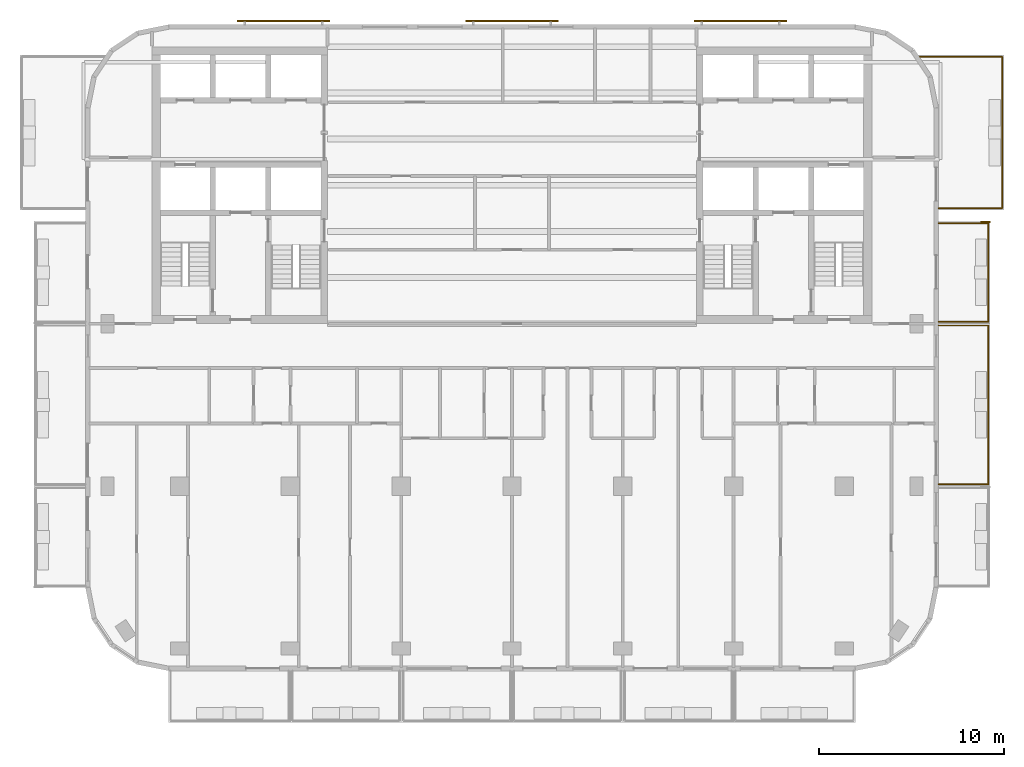
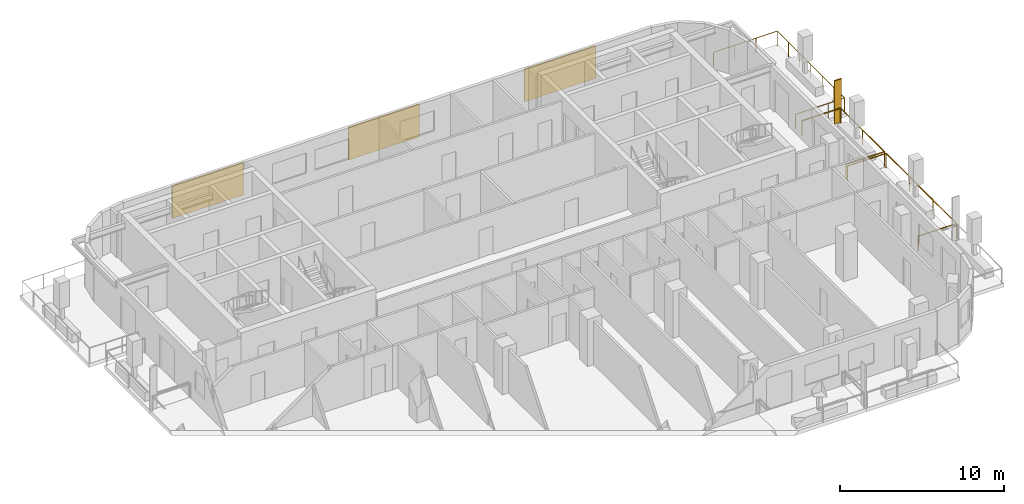
# One storey, part 10 of 11: 4 shading devices, 3 railings.
"""IFC4 building model written with IfcOpenShell, lengths in metres."""

from ifc_helpers import new_model, si_unit, direction, frame, origin, origin_2d, place, context, subcontext, project, spatial, rectangle, circle, extrude, material, layer, layer_set, type_object, element, save


model = new_model("IFC4")

# Units and contexts
model_context = context("Model", 3, precision=1e-05, world=origin(), true_north=direction((0.0, 1.0)))
body_context = subcontext(model_context, "Body", "Model", "MODEL_VIEW")
ifc_project = project(units=[si_unit("LENGTHUNIT", "METRE"), si_unit("AREAUNIT", "SQUARE_METRE"), si_unit("VOLUMEUNIT", "CUBIC_METRE"), si_unit("PLANEANGLEUNIT", "RADIAN"), si_unit("MASSUNIT", "GRAM", prefix="KILO")], contexts=[model_context])

# Site, building, storey
site_placement = place(None, origin())
site = spatial("IfcSite", under=ifc_project, at=site_placement, CompositionType="ELEMENT")
building_placement = place(site_placement, origin())
building = spatial("IfcBuilding", under=site, at=building_placement, Name="Torana Hotel and Residences", CompositionType="ELEMENT")
storey_placement = place(building_placement, frame((0.0, 0.0, 277.10009765625)))
storey = spatial("IfcBuildingStorey", under=building, at=storey_placement, Name="L73", CompositionType="ELEMENT", Elevation=277.10009765625)

# Shading device
ifc_material_1 = material(Name="Black powder coated aluminium", Category="aluminium")
ifc_layer_1 = layer(ifc_material_1, 0.080078125)
ifc_layer_set_1 = layer_set([ifc_layer_1], Name="FN1 VERTICAL FIN 500x80")
shading_device_type_1 = type_object("IfcShadingDeviceType", Name="FN1 VERTICAL FIN 500x80", PredefinedType="USERDEFINED", material=ifc_layer_set_1)
shading_device_placement = place(storey_placement, frame((25.64990234375, -9.489990234375, 0.0), z_axis=(0.0, 0.0, 1.0), x_axis=(0.0, -1.0, 0.0)))
element("IfcShadingDevice", 1, at=shading_device_placement, inside=storey, type_object=shading_device_type_1, Name="Fin 13", ObjectType="FIN", PredefinedType="USERDEFINED", context=body_context, shape_type="SweptSolid", body=[
    extrude(rectangle(XDim=0.080078125, YDim=0.5, at=origin_2d()), origin(), (0.0, 0.0, 1.0), 3.219970703125),
])

# Railings
ifc_material_2 = material(Name="Laminated glass balustrade with black handrail", Category="glass")
railing_type = type_object("IfcRailingType", Name="GR1 BALCONY GUARD 1100 GLASS", PredefinedType="GUARDRAIL", material=ifc_material_2)
railing_1_placement = place(storey_placement, frame((23.10009765625, -15.10009765625, 0.0)))
element("IfcRailing", 2, at=railing_1_placement, inside=storey, type_object=railing_type, Name="Balcony guard 12", PredefinedType="GUARDRAIL", context=body_context, shape_type="SweptSolid", body=[
    extrude(circle(Radius=0.02392578125, at=origin_2d()), frame((0.0, 0.0, 1.076171875), z_axis=(1.0, 0.0, 0.0), x_axis=(0.0, 1.0, 0.0)), (0.0, 0.0, 1.0), 2.699951171875),
    extrude(circle(Radius=0.02392578125, at=origin_2d()), frame((2.699951171875, 0.0, 1.076171875), z_axis=(0.0, -1.0, 0.0), x_axis=(1.0, 0.0, 0.0)), (0.0, 0.0, 1.0), 8.599853515625),
    extrude(circle(Radius=0.02392578125, at=origin_2d()), frame((2.699951171875, -8.599853515625, 1.076171875), z_axis=(-1.0, 0.0, 0.0), x_axis=(0.0, -1.0, 0.0)), (0.0, 0.0, 1.0), 2.699951171875),
    extrude(circle(Radius=0.02099609375, at=origin_2d()), origin(), (0.0, 0.0, 1.0), 1.052001953125),
    extrude(circle(Radius=0.02099609375, at=origin_2d()), frame((2.699951171875, 0.0, 0.0)), (0.0, 0.0, 1.0), 1.052001953125),
    extrude(circle(Radius=0.02099609375, at=origin_2d()), frame((2.699951171875, -2.86669921875, 0.0)), (0.0, 0.0, 1.0), 1.052001953125),
    extrude(circle(Radius=0.02099609375, at=origin_2d()), frame((2.699951171875, -5.733154296875, 0.0)), (0.0, 0.0, 1.0), 1.052001953125),
    extrude(circle(Radius=0.02099609375, at=origin_2d()), frame((2.699951171875, -8.599853515625, 0.0)), (0.0, 0.0, 1.0), 1.052001953125),
    extrude(circle(Radius=0.02099609375, at=origin_2d()), frame((0.0, -8.599853515625, 0.0)), (0.0, 0.0, 1.0), 1.052001953125),
])
railing_2_placement = place(storey_placement, frame((23.10009765625, -9.550048828125, 0.0)))
element("IfcRailing", 3, at=railing_2_placement, inside=storey, type_object=railing_type, Name="Balcony guard 13", PredefinedType="GUARDRAIL", context=body_context, shape_type="SweptSolid", body=[
    extrude(circle(Radius=0.02392578125, at=origin_2d()), frame((0.0, 0.0, 1.076171875), z_axis=(1.0, 0.0, 0.0), x_axis=(0.0, 1.0, 0.0)), (0.0, 0.0, 1.0), 2.699951171875),
    extrude(circle(Radius=0.02392578125, at=origin_2d()), frame((2.699951171875, 0.0, 1.076171875), z_axis=(0.0, -1.0, 0.0), x_axis=(1.0, 0.0, 0.0)), (0.0, 0.0, 1.0), 5.349853515625),
    extrude(circle(Radius=0.02392578125, at=origin_2d()), frame((2.699951171875, -5.349853515625, 1.076171875), z_axis=(-1.0, 0.0, 0.0), x_axis=(0.0, -1.0, 0.0)), (0.0, 0.0, 1.0), 2.699951171875),
    extrude(circle(Radius=0.02099609375, at=origin_2d()), origin(), (0.0, 0.0, 1.0), 1.052001953125),
    extrude(circle(Radius=0.02099609375, at=origin_2d()), frame((2.699951171875, 0.0, 0.0)), (0.0, 0.0, 1.0), 1.052001953125),
    extrude(circle(Radius=0.02099609375, at=origin_2d()), frame((2.699951171875, -2.6748046875, 0.0)), (0.0, 0.0, 1.0), 1.052001953125),
    extrude(circle(Radius=0.02099609375, at=origin_2d()), frame((2.699951171875, -5.349853515625, 0.0)), (0.0, 0.0, 1.0), 1.052001953125),
    extrude(circle(Radius=0.02099609375, at=origin_2d()), frame((0.0, -5.349853515625, 0.0)), (0.0, 0.0, 1.0), 1.052001953125),
])
railing_3_placement = place(storey_placement, frame((22.07080078125, -0.550048828125, 0.0)))
element("IfcRailing", 4, at=railing_3_placement, inside=storey, type_object=railing_type, Name="Balcony guard 14", PredefinedType="GUARDRAIL", context=body_context, shape_type="SweptSolid", body=[
    extrude(circle(Radius=0.02392578125, at=origin_2d()), frame((0.0, 0.0, 1.076171875), z_axis=(1.0, 0.0, 0.0), x_axis=(0.0, 1.0, 0.0)), (0.0, 0.0, 1.0), 4.479248046875),
    extrude(circle(Radius=0.02392578125, at=origin_2d()), frame((4.479248046875, 0.0, 1.076171875), z_axis=(0.0, -1.0, 0.0), x_axis=(1.0, 0.0, 0.0)), (0.0, 0.0, 1.0), 8.199951171875),
    extrude(circle(Radius=0.02392578125, at=origin_2d()), frame((4.479248046875, -8.199951171875, 1.076171875), z_axis=(-1.0, 0.0, 0.0), x_axis=(0.0, -1.0, 0.0)), (0.0, 0.0, 1.0), 3.449951171875),
    extrude(circle(Radius=0.02099609375, at=origin_2d()), origin(), (0.0, 0.0, 1.0), 1.052001953125),
    extrude(circle(Radius=0.02099609375, at=origin_2d()), frame((1.4931640625, 0.0, 0.0)), (0.0, 0.0, 1.0), 1.052001953125),
    extrude(circle(Radius=0.02099609375, at=origin_2d()), frame((2.986083984375, 0.0, 0.0)), (0.0, 0.0, 1.0), 1.052001953125),
    extrude(circle(Radius=0.02099609375, at=origin_2d()), frame((4.479248046875, 0.0, 0.0)), (0.0, 0.0, 1.0), 1.052001953125),
    extrude(circle(Radius=0.02099609375, at=origin_2d()), frame((4.479248046875, -1.36669921875, 0.0)), (0.0, 0.0, 1.0), 1.052001953125),
    extrude(circle(Radius=0.02099609375, at=origin_2d()), frame((4.479248046875, -2.7333984375, 0.0)), (0.0, 0.0, 1.0), 1.052001953125),
    extrude(circle(Radius=0.02099609375, at=origin_2d()), frame((4.479248046875, -4.10009765625, 0.0)), (0.0, 0.0, 1.0), 1.052001953125),
    extrude(circle(Radius=0.02099609375, at=origin_2d()), frame((4.479248046875, -5.466552734375, 0.0)), (0.0, 0.0, 1.0), 1.052001953125),
    extrude(circle(Radius=0.02099609375, at=origin_2d()), frame((4.479248046875, -6.833251953125, 0.0)), (0.0, 0.0, 1.0), 1.052001953125),
    extrude(circle(Radius=0.02099609375, at=origin_2d()), frame((4.479248046875, -8.199951171875, 0.0)), (0.0, 0.0, 1.0), 1.052001953125),
    extrude(circle(Radius=0.02099609375, at=origin_2d()), frame((3.329345703125, -8.199951171875, 0.0)), (0.0, 0.0, 1.0), 1.052001953125),
    extrude(circle(Radius=0.02099609375, at=origin_2d()), frame((2.17919921875, -8.199951171875, 0.0)), (0.0, 0.0, 1.0), 1.052001953125),
    extrude(circle(Radius=0.02099609375, at=origin_2d()), frame((1.029296875, -8.199951171875, 0.0)), (0.0, 0.0, 1.0), 1.052001953125),
])

# Shading devices
ifc_material_3 = material(Name="Concrete C40/50 precast", Category="concrete")
ifc_layer_2 = layer(ifc_material_3, 0.10009765625)
ifc_layer_set_2 = layer_set([ifc_layer_2], Name="SC1 PERFORATED BLOCK SCREEN PANEL 100")
shading_device_type_2 = type_object("IfcShadingDeviceType", Name="SC1 PERFORATED BLOCK SCREEN PANEL 100", PredefinedType="USERDEFINED", material=ifc_layer_set_2)
for number, where, z_axis, x_axis, name in (
    (5, (12.383544921875, 1.39990234375, 0.5), (0.0, 0.0, 1.0), (-1.0, 0.0, 0.0), "Perforated block screen L73"),
    (6, (0.0, 1.39990234375, 0.5), (0.0, 0.0, 1.0), (-1.0, 0.0, 0.0), "Perforated block screen L73"),
    (7, (-12.383544921875, 1.39990234375, 0.5), (0.0, 0.0, 1.0), (-1.0, 0.0, 0.0), "Perforated block screen L73"),
):
    element("IfcShadingDevice", number, at=place(storey_placement, frame(where, z_axis=z_axis, x_axis=x_axis)), inside=storey, type_object=shading_device_type_2, Name=name, ObjectType="SCREEN", PredefinedType="USERDEFINED", context=body_context, shape_type="SweptSolid", body=[
        extrude(rectangle(XDim=5.0, YDim=0.10009765625, at=origin_2d()), origin(), (0.0, 0.0, 1.0), 2.419921875),
    ])

save(model, "model.ifc")
